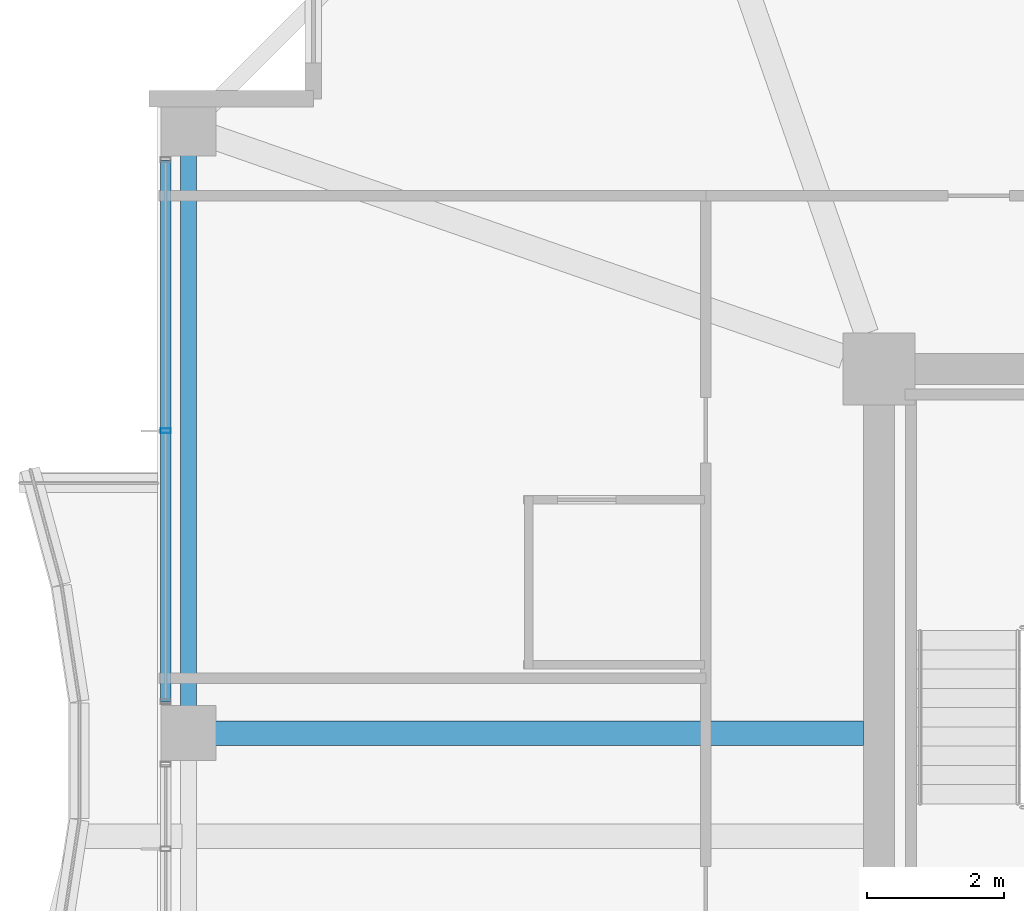
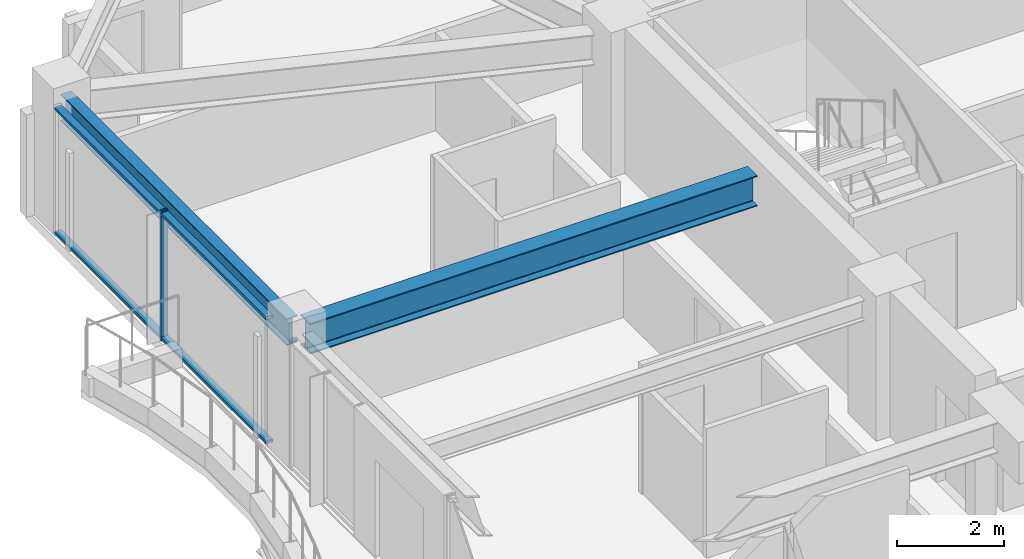
# One storey, part 8 of 34: 3 members, 2 beams, 1 element without a shape of its own.
"""IFC4 building model written with IfcOpenShell, lengths in metres."""

from ifc_helpers import new_model, si_unit, direction, frame, origin, origin_2d, place, context, subcontext, project, spatial, hollow_rectangle, i_section, extrude, material, material_profile, profile_set, type_object, element, aggregate, save


model = new_model("IFC4")

# Units and contexts
model_context = context("Model", 3, precision=1e-05, world=origin(), true_north=direction((0.0, 1.0)))
body_context = subcontext(model_context, "Body", "Model", "MODEL_VIEW")
ifc_project = project(units=[si_unit("LENGTHUNIT", "METRE"), si_unit("AREAUNIT", "SQUARE_METRE"), si_unit("VOLUMEUNIT", "CUBIC_METRE"), si_unit("PLANEANGLEUNIT", "RADIAN"), si_unit("MASSUNIT", "GRAM", prefix="KILO")], contexts=[model_context])

# Site, building, storey
site_placement = place(None, origin())
site = spatial("IfcSite", under=ifc_project, at=site_placement, CompositionType="ELEMENT")
building_placement = place(site_placement, origin())
building = spatial("IfcBuilding", under=site, at=building_placement, Name="Kolvaren Belvedere", CompositionType="ELEMENT")
storey_placement = place(building_placement, frame((0.0, 0.0, 229.5)))
storey = spatial("IfcBuildingStorey", under=building, at=storey_placement, Name="L67", CompositionType="ELEMENT", Elevation=229.5)

# Beams
ifc_material_1 = material(Name="Structural steel ASTM A992 Grade 50", Category="steel")
ifc_material_profile_1 = material_profile(ifc_material_1, i_section(OverallWidth=0.35498046875, OverallDepth=0.696044921875, WebThickness=0.015380859375, FlangeThickness=0.02490234375, FilletRadius=0.02197265625, at=origin_2d()), Name="W27X146")
ifc_profile_set_1 = profile_set([ifc_material_profile_1], Name="Structural steel ASTM A992 Grade 50")
beam_type_1 = type_object("IfcBeamType", Name="BM-GIRD-W27X146", PredefinedType="BEAM", material=ifc_profile_set_1)
beam_1_placement = place(storey_placement, frame((-10.125, 4.60009765625, 2.60205078125), z_axis=(-1.0, 0.0, 0.0), x_axis=(0.0, -1.0, 0.0)))
element("IfcBeam", 1, at=beam_1_placement, inside=storey, type_object=beam_type_1, Name="L67 West Radial Girder P", PredefinedType="BEAM", context=body_context, shape_type="SweptSolid", body=[
    extrude(i_section(OverallWidth=0.35498046875, OverallDepth=0.696044921875, WebThickness=0.015380859375, FlangeThickness=0.02490234375, FilletRadius=0.02197265625, at=origin_2d()), origin(), (0.0, 0.0, 1.0), 9.64501953125),
])
ifc_material_2 = material(Name="Structural steel ASTM A992 Grade 50", Category="steel")
ifc_material_profile_2 = material_profile(ifc_material_2, i_section(OverallWidth=0.22900390625, OverallDepth=0.612060546875, WebThickness=0.011962890625, FlangeThickness=0.01953125, FilletRadius=0.01806640625, at=origin_2d()), Name="W24X84")
ifc_profile_set_2 = profile_set([ifc_material_profile_2], Name="Structural steel ASTM A992 Grade 50")
beam_type_2 = type_object("IfcBeamType", Name="BM-SPAN-W24X84", PredefinedType="SPANDREL", material=ifc_profile_set_2)
beam_2_placement = place(storey_placement, frame((-19.949951171875, 13.219970703125, 2.64404296875), z_axis=(0.0, -1.0, 0.0), x_axis=(1.0, 0.0, 0.0)))
element("IfcBeam", 2, at=beam_2_placement, inside=storey, type_object=beam_type_2, Name="L67 Perimeter Spandrel W4-W3", PredefinedType="SPANDREL", context=body_context, shape_type="SweptSolid", body=[
    extrude(i_section(OverallWidth=0.22900390625, OverallDepth=0.612060546875, WebThickness=0.011962890625, FlangeThickness=0.01953125, FilletRadius=0.01806640625, at=origin_2d()), origin(), (0.0, 0.0, 1.0), 8.43994140625),
])

# Curtain wall, members
ifc_material_3 = material(Name="Anodised pale-metal aluminium AA 6063-T6", Category="aluminium")
curtain_wall_type = type_object("IfcCurtainWallType", Name="CW-Z5-HIGH", PredefinedType="NOTDEFINED", material=ifc_material_3)
curtain_wall_placement = place(storey_placement, origin())
curtain_wall = element("IfcCurtainWall", 3, at=curtain_wall_placement, inside=storey, type_object=curtain_wall_type, Name="L67 Unitised Curtain Wall FCW-L67-W2-B2", PredefinedType="NOTDEFINED")
ifc_material_4 = material(Name="Anodised pale-metal aluminium AA 6063-T6", Category="aluminium")
ifc_material_profile_3 = material_profile(ifc_material_4, hollow_rectangle(XDim=0.070068359375, YDim=0.14990234375, WallThickness=0.004150390625, at=origin_2d()), Name="ALU-MUL-150X70")
ifc_profile_set_3 = profile_set([ifc_material_profile_3], Name="Anodised pale-metal aluminium AA 6063-T6")
member_type_1 = type_object("IfcMemberType", Name="CW-MUL-150", PredefinedType="MULLION", material=ifc_profile_set_3)
member_1_placement = place(storey_placement, frame((-20.280029296875, 9.0, 0.0), z_axis=(0.0, 0.0, 1.0), x_axis=(0.0, 1.0, 0.0)))
member_1 = element("IfcMember", 4, at=member_1_placement, type_object=member_type_1, Name="FCW-L67-W2-B2 Unitised Mullion 2", PredefinedType="MULLION", context=body_context, shape_type="SweptSolid", body=[
    extrude(hollow_rectangle(XDim=0.070068359375, YDim=0.14990234375, WallThickness=0.004150390625, at=origin_2d()), origin(), (0.0, 0.0, 1.0), 2.949951171875),
])
ifc_material_5 = material(Name="Anodised pale-metal aluminium AA 6063-T6", Category="aluminium")
ifc_material_profile_4 = material_profile(ifc_material_5, hollow_rectangle(XDim=0.06494140625, YDim=0.14990234375, WallThickness=0.00390625, at=origin_2d()), Name="ALU-TRN-150X65")
ifc_profile_set_4 = profile_set([ifc_material_profile_4], Name="Anodised pale-metal aluminium AA 6063-T6")
member_type_2 = type_object("IfcMemberType", Name="CW-TRN-150", PredefinedType="USERDEFINED", material=ifc_profile_set_4)
member_2_placement = place(storey_placement, frame((-20.280029296875, 5.054931640625, 0.06005859375), z_axis=(0.0, 1.0, 0.0), x_axis=(0.0, 0.0, 1.0)))
member_2 = element("IfcMember", 5, at=member_2_placement, type_object=member_type_2, Name="FCW-L67-W2-B2 Sill Transom", ObjectType="TRANSOM", PredefinedType="USERDEFINED", context=body_context, shape_type="SweptSolid", body=[
    extrude(hollow_rectangle(XDim=0.06494140625, YDim=0.14990234375, WallThickness=0.00390625, at=origin_2d()), origin(), (0.0, 0.0, 1.0), 7.89013671875),
])
member_3_placement = place(storey_placement, frame((-20.280029296875, 5.054931640625, 2.889892578125), z_axis=(0.0, 1.0, 0.0), x_axis=(0.0, 0.0, 1.0)))
member_3 = element("IfcMember", 6, at=member_3_placement, type_object=member_type_2, Name="FCW-L67-W2-B2 Head Transom", ObjectType="TRANSOM", PredefinedType="USERDEFINED", context=body_context, shape_type="SweptSolid", body=[
    extrude(hollow_rectangle(XDim=0.06494140625, YDim=0.14990234375, WallThickness=0.00390625, at=origin_2d()), origin(), (0.0, 0.0, 1.0), 7.89013671875),
])
aggregate(curtain_wall, [member_1, member_2, member_3])

save(model, "model.ifc")
